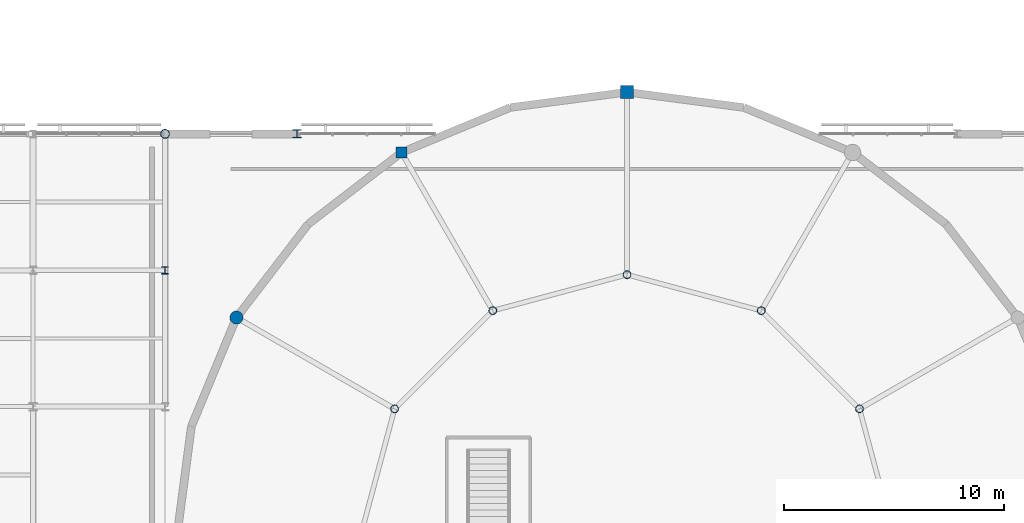
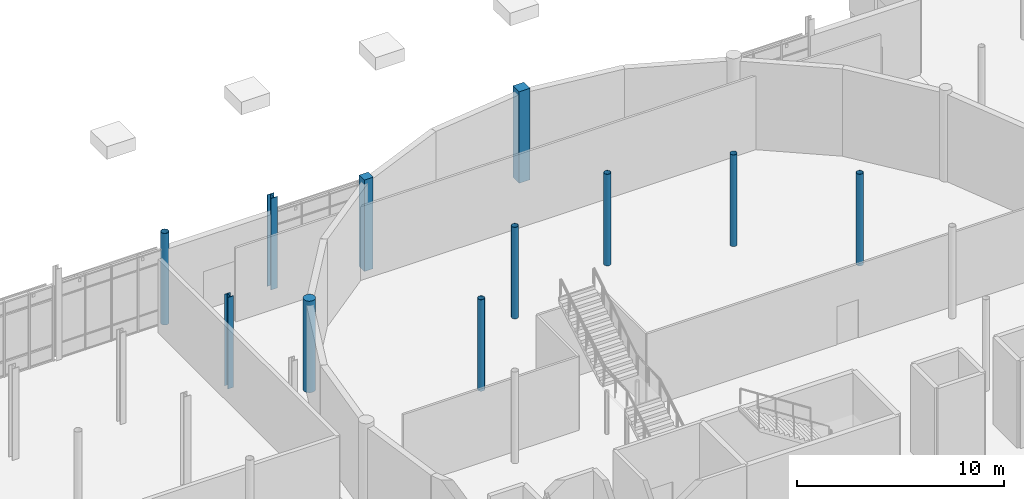
# One storey, part 17 of 98: 11 columns.
"""IFC4 building model written with IfcOpenShell, lengths in metres."""

from ifc_helpers import new_model, si_unit, direction, frame, origin, origin_2d, place, context, subcontext, project, spatial, rectangle, circle, hollow_circle, i_section, extrude, material, material_profile, profile_set, type_object, element, save


model = new_model("IFC4")

# Units and contexts
model_context = context("Model", 3, precision=1e-05, world=origin(), true_north=direction((0.0, 1.0)))
body_context = subcontext(model_context, "Body", "Model", "MODEL_VIEW")
ifc_project = project(units=[si_unit("LENGTHUNIT", "METRE"), si_unit("AREAUNIT", "SQUARE_METRE"), si_unit("VOLUMEUNIT", "CUBIC_METRE"), si_unit("PLANEANGLEUNIT", "RADIAN"), si_unit("MASSUNIT", "GRAM", prefix="KILO")], contexts=[model_context])

# Site, building, storey
site_placement = place(None, origin())
site = spatial("IfcSite", under=ifc_project, at=site_placement, CompositionType="ELEMENT")
building_placement = place(site_placement, origin())
building = spatial("IfcBuilding", under=site, at=building_placement, Name="Mirzam Square Science Centre", CompositionType="ELEMENT")
storey_placement = place(building_placement, origin())
storey = spatial("IfcBuildingStorey", under=building, at=storey_placement, Name="L00", CompositionType="ELEMENT", Elevation=0.0)

# Columns
ifc_material_1 = material(Name="Steel S355", Category="steel")
ifc_material_profile_1 = material_profile(ifc_material_1, hollow_circle(Radius=0.177734375, WallThickness=0.012451171875, at=origin_2d()), Name="355.6x12.5CHS")
ifc_profile_set_1 = profile_set([ifc_material_profile_1], Name="Steel S355")
column_type_1 = type_object("IfcColumnType", Name="COL-CHS355", PredefinedType="COLUMN", material=ifc_profile_set_1)
for number, where, z_axis, x_axis, name in (
    (1, (91.5654296875, 68.10009765625, 0.0), (0.0, 0.0, 1.0), (1.0, 0.0, 0.0), "L00 inner drum column 02"),
    (2, (87.10009765625, 72.5654296875, 0.0), (0.0, 0.0, 1.0), (1.0, 0.0, 0.0), "L00 inner drum column 03"),
    (3, (81.0, 74.199951171875, 0.0), (0.0, 0.0, 1.0), (1.0, 0.0, 0.0), "L00 inner drum column 04"),
    (4, (74.89990234375, 72.5654296875, 0.0), (0.0, 0.0, 1.0), (1.0, 0.0, 0.0), "L00 inner drum column 05"),
    (5, (70.4345703125, 68.10009765625, 0.0), (0.0, 0.0, 1.0), (1.0, 0.0, 0.0), "L00 inner drum column 06"),
):
    element("IfcColumn", number, at=place(storey_placement, frame(where, z_axis=z_axis, x_axis=x_axis)), inside=storey, type_object=column_type_1, Name=name, PredefinedType="COLUMN", context=body_context, shape_type="SweptSolid", body=[
        extrude(hollow_circle(Radius=0.177734375, WallThickness=0.012451171875, at=origin_2d()), origin(), (0.0, 0.0, 1.0), 5.39990234375),
    ])
ifc_material_profile_2 = material_profile(ifc_material_1, hollow_circle(Radius=0.203125, WallThickness=0.01611328125, at=origin_2d()), Name="406.4x16.0CHS")
ifc_profile_set_2 = profile_set([ifc_material_profile_2], Name="Steel S355")
column_type_2 = type_object("IfcColumnType", Name="COL-CHS406", PredefinedType="COLUMN", material=ifc_profile_set_2)
column_1_placement = place(storey_placement, frame((60.0, 80.60009765625, 0.0), z_axis=(0.0, 0.0, 1.0), x_axis=(1.0, 0.0, 0.0)))
element("IfcColumn", 6, at=column_1_placement, inside=storey, type_object=column_type_2, Name="L00 column G11-14", PredefinedType="COLUMN", context=body_context, shape_type="SweptSolid", body=[
    extrude(hollow_circle(Radius=0.203125, WallThickness=0.01611328125, at=origin_2d()), origin(), (0.0, 0.0, 1.0), 5.39990234375),
])
ifc_material_profile_3 = material_profile(ifc_material_1, i_section(OverallWidth=0.314453125, OverallDepth=0.33984375, WebThickness=0.01904296875, FlangeThickness=0.031494140625, FilletRadius=0.01513671875, at=origin_2d()), Name="305x305x198UC")
ifc_profile_set_3 = profile_set([ifc_material_profile_3], Name="Steel S355")
column_type_3 = type_object("IfcColumnType", Name="COL-UC305B", PredefinedType="COLUMN", material=ifc_profile_set_3)
column_2_placement = place(storey_placement, frame((60.0, 74.39990234375, 0.0), z_axis=(0.0, 0.0, 1.0), x_axis=(1.0, 0.0, 0.0)))
element("IfcColumn", 7, at=column_2_placement, inside=storey, type_object=column_type_3, Name="L00 column G11-13", PredefinedType="COLUMN", context=body_context, shape_type="SweptSolid", body=[
    extrude(i_section(OverallWidth=0.314453125, OverallDepth=0.33984375, WebThickness=0.01904296875, FlangeThickness=0.031494140625, FilletRadius=0.01513671875, at=origin_2d()), origin(), (0.0, 0.0, 1.0), 5.39990234375),
])
ifc_material_profile_4 = material_profile(ifc_material_1, i_section(OverallWidth=0.374755859375, OverallDepth=0.37451171875, WebThickness=0.0166015625, FlangeThickness=0.027099609375, FilletRadius=0.01513671875, at=origin_2d()), Name="356x368x202UC")
ifc_profile_set_4 = profile_set([ifc_material_profile_4], Name="Steel S355")
column_type_4 = type_object("IfcColumnType", Name="COL-UC356A", PredefinedType="COLUMN", material=ifc_profile_set_4)
column_3_placement = place(storey_placement, frame((66.0, 80.60009765625, 0.0), z_axis=(0.0, 0.0, 1.0), x_axis=(1.0, 0.0, 0.0)))
element("IfcColumn", 8, at=column_3_placement, inside=storey, type_object=column_type_4, Name="L00 column G12-14", PredefinedType="COLUMN", context=body_context, shape_type="SweptSolid", body=[
    extrude(i_section(OverallWidth=0.374755859375, OverallDepth=0.37451171875, WebThickness=0.0166015625, FlangeThickness=0.027099609375, FilletRadius=0.01513671875, at=origin_2d()), origin(), (0.0, 0.0, 1.0), 5.39990234375),
])
ifc_material_2 = material(Name="Concrete C45/55", Category="concrete")
ifc_material_profile_5 = material_profile(ifc_material_2, rectangle(XDim=0.5, YDim=0.5, at=origin_2d()), Name="RC500x500")
ifc_profile_set_5 = profile_set([ifc_material_profile_5], Name="Concrete C45/55")
column_type_5 = type_object("IfcColumnType", Name="PIL-RC500", PredefinedType="PILASTER", material=ifc_profile_set_5)
column_4_placement = place(storey_placement, frame((70.75, 79.75341796875, 0.0), z_axis=(0.0, 0.0, 1.0), x_axis=(1.0, 0.0, 0.0)))
element("IfcColumn", 9, at=column_4_placement, inside=storey, type_object=column_type_5, Name="L00 drum pilaster 09", PredefinedType="PILASTER", context=body_context, shape_type="SweptSolid", body=[
    extrude(rectangle(XDim=0.5, YDim=0.5, at=origin_2d()), origin(), (0.0, 0.0, 1.0), 5.39990234375),
])
ifc_material_profile_6 = material_profile(ifc_material_2, rectangle(XDim=0.60009765625, YDim=0.60009765625, at=origin_2d()), Name="RC600x600")
ifc_profile_set_6 = profile_set([ifc_material_profile_6], Name="Concrete C45/55")
column_type_6 = type_object("IfcColumnType", Name="PIL-RC600", PredefinedType="PILASTER", material=ifc_profile_set_6)
column_5_placement = place(storey_placement, frame((81.0, 82.5, 0.0), z_axis=(0.0, 0.0, 1.0), x_axis=(1.0, 0.0, 0.0)))
element("IfcColumn", 10, at=column_5_placement, inside=storey, type_object=column_type_6, Name="L00 drum pilaster 07", PredefinedType="PILASTER", context=body_context, shape_type="SweptSolid", body=[
    extrude(rectangle(XDim=0.60009765625, YDim=0.60009765625, at=origin_2d()), origin(), (0.0, 0.0, 1.0), 5.39990234375),
])
ifc_material_profile_7 = material_profile(ifc_material_2, circle(Radius=0.300048828125, at=origin_2d()), Name="RCD600")
ifc_profile_set_7 = profile_set([ifc_material_profile_7], Name="Concrete C45/55")
column_type_7 = type_object("IfcColumnType", Name="PIL-RCD600", PredefinedType="PILASTER", material=ifc_profile_set_7)
column_6_placement = place(storey_placement, frame((63.24658203125, 72.25, 0.0), z_axis=(0.0, 0.0, 1.0), x_axis=(1.0, 0.0, 0.0)))
element("IfcColumn", 11, at=column_6_placement, inside=storey, type_object=column_type_7, Name="L00 drum pilaster 11", PredefinedType="PILASTER", context=body_context, shape_type="SweptSolid", body=[
    extrude(circle(Radius=0.300048828125, at=origin_2d()), origin(), (0.0, 0.0, 1.0), 5.39990234375),
])

save(model, "model.ifc")
